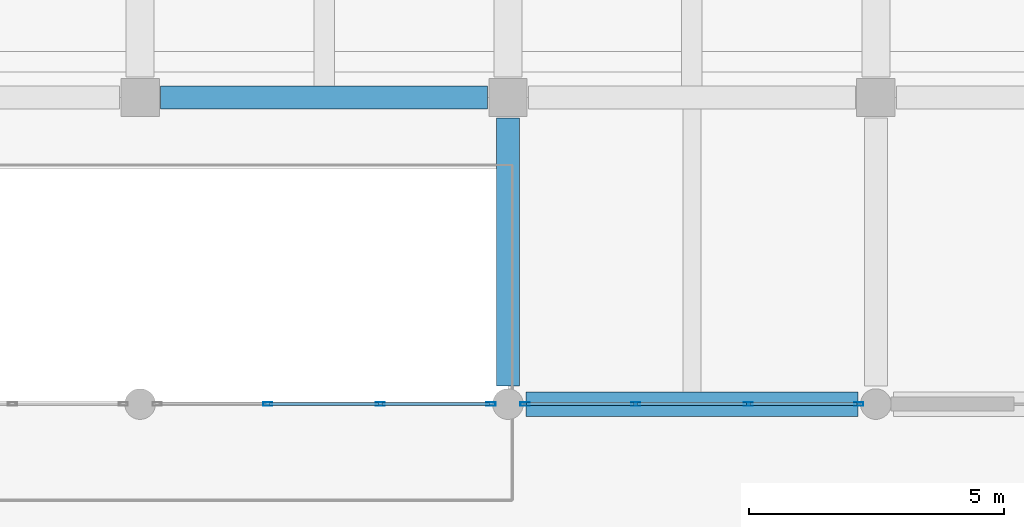
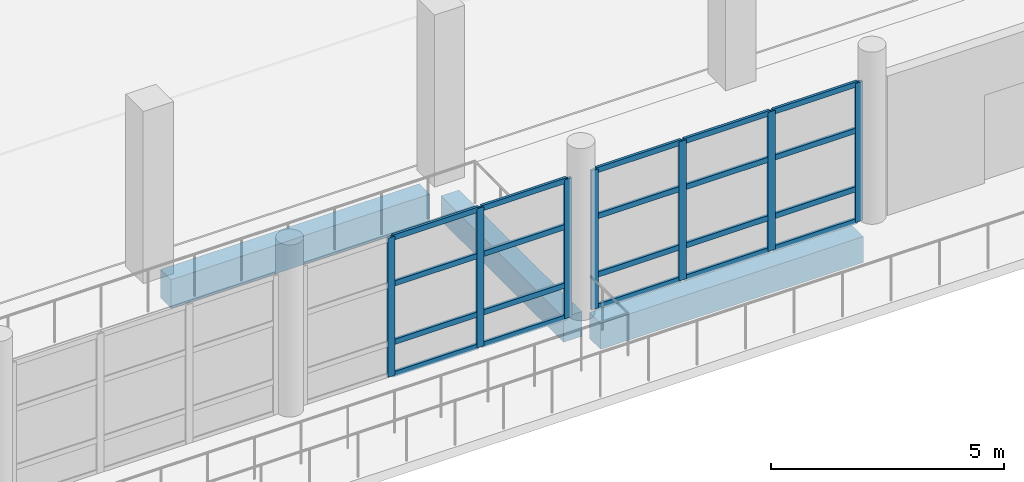
# One storey, part 11 of 71: 27 members, 3 beams, 2 elements without a shape of their own.
"""IFC4 building model written with IfcOpenShell, lengths in metres."""

from ifc_helpers import new_model, si_unit, direction, frame, origin, origin_2d, place, context, subcontext, project, spatial, rectangle, hollow_rectangle, extrude, material, material_profile, profile_set, type_object, element, aggregate, save


model = new_model("IFC4")

# Units and contexts
model_context = context("Model", 3, precision=1e-05, world=origin(), true_north=direction((0.0, 1.0)))
body_context = subcontext(model_context, "Body", "Model", "MODEL_VIEW")
ifc_project = project(units=[si_unit("LENGTHUNIT", "METRE"), si_unit("AREAUNIT", "SQUARE_METRE"), si_unit("VOLUMEUNIT", "CUBIC_METRE"), si_unit("PLANEANGLEUNIT", "RADIAN"), si_unit("MASSUNIT", "GRAM", prefix="KILO")], contexts=[model_context])

# Site, building, storey
site_placement = place(None, origin())
site = spatial("IfcSite", under=ifc_project, at=site_placement, CompositionType="ELEMENT")
building_placement = place(site_placement, origin())
building = spatial("IfcBuilding", under=site, at=building_placement, Name="Pellamere Symphony Hall", CompositionType="ELEMENT")
storey_placement = place(building_placement, frame((0.0, 0.0, 15.0)))
storey = spatial("IfcBuildingStorey", under=building, at=storey_placement, Name="L03", CompositionType="ELEMENT", Elevation=15.0)

# Curtain wall, members
ifc_material_1 = material(Name="Thermally Broken Anodised Aluminium 6063-T6 Curtain Wall", Category="aluminium")
curtain_wall_type = type_object("IfcCurtainWallType", Name="Curtain Wall CW-02 (Winter-Garden South Concourse Curtain Wall)", PredefinedType="NOTDEFINED", material=ifc_material_1)
curtain_wall_1_placement = place(storey_placement, origin())
curtain_wall_1 = element("IfcCurtainWall", 1, at=curtain_wall_1_placement, inside=storey, type_object=curtain_wall_type, Name="Winter-Garden South Curtain Wall (L03 Bay 7)", PredefinedType="NOTDEFINED")
ifc_material_2 = material(Name="Anodised Architectural Aluminium 6063-T6", Category="aluminium")
ifc_material_profile_1 = material_profile(ifc_material_2, hollow_rectangle(XDim=0.06494140625, YDim=0.179931640625, WallThickness=0.00390625, at=origin_2d()), Name="ALU-M65X180X4")
ifc_profile_set_1 = profile_set([ifc_material_profile_1], Name="Anodised Architectural Aluminium 6063-T6")
member_type_1 = type_object("IfcMemberType", Name="Curtain Wall Mullion ML-02 ALU-M65X180X4", PredefinedType="MULLION", material=ifc_profile_set_1)
member_1_placement = place(storey_placement, frame((90.10009765625, 24.0, 0.0), z_axis=(0.0, 0.0, 1.0), x_axis=(0.0, 1.0, 0.0)))
member_1 = element("IfcMember", 2, at=member_1_placement, type_object=member_type_1, Name="CW2-091 crystal mullion 2", PredefinedType="MULLION", context=body_context, shape_type="SweptSolid", body=[
    extrude(hollow_rectangle(XDim=0.06494140625, YDim=0.179931640625, WallThickness=0.00390625, at=origin_2d()), origin(), (0.0, 0.0, 1.0), 3.639892578125),
])
member_2_placement = place(storey_placement, frame((92.300048828125, 24.0, 0.0), z_axis=(0.0, 0.0, 1.0), x_axis=(0.0, 1.0, 0.0)))
member_2 = element("IfcMember", 3, at=member_2_placement, type_object=member_type_1, Name="CW2-091 crystal mullion 3", PredefinedType="MULLION", context=body_context, shape_type="SweptSolid", body=[
    extrude(hollow_rectangle(XDim=0.06494140625, YDim=0.179931640625, WallThickness=0.00390625, at=origin_2d()), origin(), (0.0, 0.0, 1.0), 3.639892578125),
])
member_3_placement = place(storey_placement, frame((94.467529296875, 24.0, 0.0), z_axis=(0.0, 0.0, 1.0), x_axis=(0.0, 1.0, 0.0)))
member_3 = element("IfcMember", 4, at=member_3_placement, type_object=member_type_1, Name="CW2-091 crystal mullion 4", PredefinedType="MULLION", context=body_context, shape_type="SweptSolid", body=[
    extrude(hollow_rectangle(XDim=0.06494140625, YDim=0.179931640625, WallThickness=0.00390625, at=origin_2d()), origin(), (0.0, 0.0, 1.0), 3.639892578125),
])

curtain_wall_2_placement = place(storey_placement, origin())
curtain_wall_2 = element("IfcCurtainWall", 5, at=curtain_wall_2_placement, inside=storey, type_object=curtain_wall_type, Name="Winter-Garden South Curtain Wall (L03 Bay 8)", PredefinedType="NOTDEFINED")
member_4_placement = place(storey_placement, frame((95.132568359375, 24.0, 0.0), z_axis=(0.0, 0.0, 1.0), x_axis=(0.0, 1.0, 0.0)))
member_4 = element("IfcMember", 6, at=member_4_placement, type_object=member_type_1, Name="CW2-092 crystal mullion 1", PredefinedType="MULLION", context=body_context, shape_type="SweptSolid", body=[
    extrude(hollow_rectangle(XDim=0.06494140625, YDim=0.179931640625, WallThickness=0.00390625, at=origin_2d()), origin(), (0.0, 0.0, 1.0), 3.639892578125),
])
member_5_placement = place(storey_placement, frame((97.300048828125, 24.0, 0.0), z_axis=(0.0, 0.0, 1.0), x_axis=(0.0, 1.0, 0.0)))
member_5 = element("IfcMember", 7, at=member_5_placement, type_object=member_type_1, Name="CW2-092 crystal mullion 2", PredefinedType="MULLION", context=body_context, shape_type="SweptSolid", body=[
    extrude(hollow_rectangle(XDim=0.06494140625, YDim=0.179931640625, WallThickness=0.00390625, at=origin_2d()), origin(), (0.0, 0.0, 1.0), 3.639892578125),
])
member_6_placement = place(storey_placement, frame((99.5, 24.0, 0.0), z_axis=(0.0, 0.0, 1.0), x_axis=(0.0, 1.0, 0.0)))
member_6 = element("IfcMember", 8, at=member_6_placement, type_object=member_type_1, Name="CW2-092 crystal mullion 3", PredefinedType="MULLION", context=body_context, shape_type="SweptSolid", body=[
    extrude(hollow_rectangle(XDim=0.06494140625, YDim=0.179931640625, WallThickness=0.00390625, at=origin_2d()), origin(), (0.0, 0.0, 1.0), 3.639892578125),
])
member_7_placement = place(storey_placement, frame((101.66748046875, 24.0, 0.0), z_axis=(0.0, 0.0, 1.0), x_axis=(0.0, 1.0, 0.0)))
member_7 = element("IfcMember", 9, at=member_7_placement, type_object=member_type_1, Name="CW2-092 crystal mullion 4", PredefinedType="MULLION", context=body_context, shape_type="SweptSolid", body=[
    extrude(hollow_rectangle(XDim=0.06494140625, YDim=0.179931640625, WallThickness=0.00390625, at=origin_2d()), origin(), (0.0, 0.0, 1.0), 3.639892578125),
])

# Member
ifc_material_profile_2 = material_profile(ifc_material_2, hollow_rectangle(XDim=0.06494140625, YDim=0.139892578125, WallThickness=0.00390625, at=origin_2d()), Name="ALU-T65X140X4")
ifc_profile_set_2 = profile_set([ifc_material_profile_2], Name="Anodised Architectural Aluminium 6063-T6")
member_type_2 = type_object("IfcMemberType", Name="Curtain Wall Transom TR-02 ALU-T65X140X4", PredefinedType="USERDEFINED", material=ifc_profile_set_2)
member_8_placement = place(storey_placement, frame((90.132568359375, 24.0, 0.032470703125), z_axis=(1.0, 0.0, 0.0), x_axis=(0.0, 1.0, 0.0)))
member_8 = element("IfcMember", 10, at=member_8_placement, type_object=member_type_2, Name="CW2-091 crystal transom 2.1", ObjectType="TRANSOM", PredefinedType="USERDEFINED", context=body_context, shape_type="SweptSolid", body=[
    extrude(hollow_rectangle(XDim=0.06494140625, YDim=0.139892578125, WallThickness=0.00390625, at=origin_2d()), origin(), (0.0, 0.0, 1.0), 2.135009765625),
])

member_9_placement = place(storey_placement, frame((90.132568359375, 24.0, 0.87353515625), z_axis=(1.0, 0.0, 0.0), x_axis=(0.0, 1.0, 0.0)))
member_9 = element("IfcMember", 11, at=member_9_placement, type_object=member_type_2, Name="CW2-091 crystal transom 2.2", ObjectType="TRANSOM", PredefinedType="USERDEFINED", context=body_context, shape_type="SweptSolid", body=[
    extrude(hollow_rectangle(XDim=0.06494140625, YDim=0.139892578125, WallThickness=0.00390625, at=origin_2d()), origin(), (0.0, 0.0, 1.0), 2.135009765625),
])

member_10_placement = place(storey_placement, frame((90.132568359375, 24.0, 2.40234375), z_axis=(1.0, 0.0, 0.0), x_axis=(0.0, 1.0, 0.0)))
member_10 = element("IfcMember", 12, at=member_10_placement, type_object=member_type_2, Name="CW2-091 crystal transom 2.3", ObjectType="TRANSOM", PredefinedType="USERDEFINED", context=body_context, shape_type="SweptSolid", body=[
    extrude(hollow_rectangle(XDim=0.06494140625, YDim=0.139892578125, WallThickness=0.00390625, at=origin_2d()), origin(), (0.0, 0.0, 1.0), 2.135009765625),
])

member_11_placement = place(storey_placement, frame((90.132568359375, 24.0, 3.607421875), z_axis=(1.0, 0.0, 0.0), x_axis=(0.0, 1.0, 0.0)))
member_11 = element("IfcMember", 13, at=member_11_placement, type_object=member_type_2, Name="CW2-091 crystal transom 2.4", ObjectType="TRANSOM", PredefinedType="USERDEFINED", context=body_context, shape_type="SweptSolid", body=[
    extrude(hollow_rectangle(XDim=0.06494140625, YDim=0.139892578125, WallThickness=0.00390625, at=origin_2d()), origin(), (0.0, 0.0, 1.0), 2.135009765625),
])

member_12_placement = place(storey_placement, frame((92.33251953125, 24.0, 0.032470703125), z_axis=(1.0, 0.0, 0.0), x_axis=(0.0, 1.0, 0.0)))
member_12 = element("IfcMember", 14, at=member_12_placement, type_object=member_type_2, Name="CW2-091 crystal transom 3.1", ObjectType="TRANSOM", PredefinedType="USERDEFINED", context=body_context, shape_type="SweptSolid", body=[
    extrude(hollow_rectangle(XDim=0.06494140625, YDim=0.139892578125, WallThickness=0.00390625, at=origin_2d()), origin(), (0.0, 0.0, 1.0), 2.1025390625),
])

member_13_placement = place(storey_placement, frame((92.33251953125, 24.0, 0.87353515625), z_axis=(1.0, 0.0, 0.0), x_axis=(0.0, 1.0, 0.0)))
member_13 = element("IfcMember", 15, at=member_13_placement, type_object=member_type_2, Name="CW2-091 crystal transom 3.2", ObjectType="TRANSOM", PredefinedType="USERDEFINED", context=body_context, shape_type="SweptSolid", body=[
    extrude(hollow_rectangle(XDim=0.06494140625, YDim=0.139892578125, WallThickness=0.00390625, at=origin_2d()), origin(), (0.0, 0.0, 1.0), 2.1025390625),
])

member_14_placement = place(storey_placement, frame((92.33251953125, 24.0, 2.40234375), z_axis=(1.0, 0.0, 0.0), x_axis=(0.0, 1.0, 0.0)))
member_14 = element("IfcMember", 16, at=member_14_placement, type_object=member_type_2, Name="CW2-091 crystal transom 3.3", ObjectType="TRANSOM", PredefinedType="USERDEFINED", context=body_context, shape_type="SweptSolid", body=[
    extrude(hollow_rectangle(XDim=0.06494140625, YDim=0.139892578125, WallThickness=0.00390625, at=origin_2d()), origin(), (0.0, 0.0, 1.0), 2.1025390625),
])

member_15_placement = place(storey_placement, frame((92.33251953125, 24.0, 3.607421875), z_axis=(1.0, 0.0, 0.0), x_axis=(0.0, 1.0, 0.0)))
member_15 = element("IfcMember", 17, at=member_15_placement, type_object=member_type_2, Name="CW2-091 crystal transom 3.4", ObjectType="TRANSOM", PredefinedType="USERDEFINED", context=body_context, shape_type="SweptSolid", body=[
    extrude(hollow_rectangle(XDim=0.06494140625, YDim=0.139892578125, WallThickness=0.00390625, at=origin_2d()), origin(), (0.0, 0.0, 1.0), 2.1025390625),
])

aggregate(curtain_wall_1, [member_1, member_2, member_3, member_8, member_9, member_10, member_11, member_12, member_13, member_14, member_15])

member_16_placement = place(storey_placement, frame((95.1650390625, 24.0, 0.032470703125), z_axis=(1.0, 0.0, 0.0), x_axis=(0.0, 1.0, 0.0)))
member_16 = element("IfcMember", 18, at=member_16_placement, type_object=member_type_2, Name="CW2-092 crystal transom 1.1", ObjectType="TRANSOM", PredefinedType="USERDEFINED", context=body_context, shape_type="SweptSolid", body=[
    extrude(hollow_rectangle(XDim=0.06494140625, YDim=0.139892578125, WallThickness=0.00390625, at=origin_2d()), origin(), (0.0, 0.0, 1.0), 2.1025390625),
])

member_17_placement = place(storey_placement, frame((95.1650390625, 24.0, 0.87353515625), z_axis=(1.0, 0.0, 0.0), x_axis=(0.0, 1.0, 0.0)))
member_17 = element("IfcMember", 19, at=member_17_placement, type_object=member_type_2, Name="CW2-092 crystal transom 1.2", ObjectType="TRANSOM", PredefinedType="USERDEFINED", context=body_context, shape_type="SweptSolid", body=[
    extrude(hollow_rectangle(XDim=0.06494140625, YDim=0.139892578125, WallThickness=0.00390625, at=origin_2d()), origin(), (0.0, 0.0, 1.0), 2.1025390625),
])

member_18_placement = place(storey_placement, frame((95.1650390625, 24.0, 2.40234375), z_axis=(1.0, 0.0, 0.0), x_axis=(0.0, 1.0, 0.0)))
member_18 = element("IfcMember", 20, at=member_18_placement, type_object=member_type_2, Name="CW2-092 crystal transom 1.3", ObjectType="TRANSOM", PredefinedType="USERDEFINED", context=body_context, shape_type="SweptSolid", body=[
    extrude(hollow_rectangle(XDim=0.06494140625, YDim=0.139892578125, WallThickness=0.00390625, at=origin_2d()), origin(), (0.0, 0.0, 1.0), 2.1025390625),
])

member_19_placement = place(storey_placement, frame((95.1650390625, 24.0, 3.607421875), z_axis=(1.0, 0.0, 0.0), x_axis=(0.0, 1.0, 0.0)))
member_19 = element("IfcMember", 21, at=member_19_placement, type_object=member_type_2, Name="CW2-092 crystal transom 1.4", ObjectType="TRANSOM", PredefinedType="USERDEFINED", context=body_context, shape_type="SweptSolid", body=[
    extrude(hollow_rectangle(XDim=0.06494140625, YDim=0.139892578125, WallThickness=0.00390625, at=origin_2d()), origin(), (0.0, 0.0, 1.0), 2.1025390625),
])

member_20_placement = place(storey_placement, frame((97.33251953125, 24.0, 0.032470703125), z_axis=(1.0, 0.0, 0.0), x_axis=(0.0, 1.0, 0.0)))
member_20 = element("IfcMember", 22, at=member_20_placement, type_object=member_type_2, Name="CW2-092 crystal transom 2.1", ObjectType="TRANSOM", PredefinedType="USERDEFINED", context=body_context, shape_type="SweptSolid", body=[
    extrude(hollow_rectangle(XDim=0.06494140625, YDim=0.139892578125, WallThickness=0.00390625, at=origin_2d()), origin(), (0.0, 0.0, 1.0), 2.135009765625),
])

member_21_placement = place(storey_placement, frame((97.33251953125, 24.0, 0.87353515625), z_axis=(1.0, 0.0, 0.0), x_axis=(0.0, 1.0, 0.0)))
member_21 = element("IfcMember", 23, at=member_21_placement, type_object=member_type_2, Name="CW2-092 crystal transom 2.2", ObjectType="TRANSOM", PredefinedType="USERDEFINED", context=body_context, shape_type="SweptSolid", body=[
    extrude(hollow_rectangle(XDim=0.06494140625, YDim=0.139892578125, WallThickness=0.00390625, at=origin_2d()), origin(), (0.0, 0.0, 1.0), 2.135009765625),
])

member_22_placement = place(storey_placement, frame((97.33251953125, 24.0, 2.40234375), z_axis=(1.0, 0.0, 0.0), x_axis=(0.0, 1.0, 0.0)))
member_22 = element("IfcMember", 24, at=member_22_placement, type_object=member_type_2, Name="CW2-092 crystal transom 2.3", ObjectType="TRANSOM", PredefinedType="USERDEFINED", context=body_context, shape_type="SweptSolid", body=[
    extrude(hollow_rectangle(XDim=0.06494140625, YDim=0.139892578125, WallThickness=0.00390625, at=origin_2d()), origin(), (0.0, 0.0, 1.0), 2.135009765625),
])

member_23_placement = place(storey_placement, frame((97.33251953125, 24.0, 3.607421875), z_axis=(1.0, 0.0, 0.0), x_axis=(0.0, 1.0, 0.0)))
member_23 = element("IfcMember", 25, at=member_23_placement, type_object=member_type_2, Name="CW2-092 crystal transom 2.4", ObjectType="TRANSOM", PredefinedType="USERDEFINED", context=body_context, shape_type="SweptSolid", body=[
    extrude(hollow_rectangle(XDim=0.06494140625, YDim=0.139892578125, WallThickness=0.00390625, at=origin_2d()), origin(), (0.0, 0.0, 1.0), 2.135009765625),
])

member_24_placement = place(storey_placement, frame((99.532470703125, 24.0, 0.032470703125), z_axis=(1.0, 0.0, 0.0), x_axis=(0.0, 1.0, 0.0)))
member_24 = element("IfcMember", 26, at=member_24_placement, type_object=member_type_2, Name="CW2-092 crystal transom 3.1", ObjectType="TRANSOM", PredefinedType="USERDEFINED", context=body_context, shape_type="SweptSolid", body=[
    extrude(hollow_rectangle(XDim=0.06494140625, YDim=0.139892578125, WallThickness=0.00390625, at=origin_2d()), origin(), (0.0, 0.0, 1.0), 2.1025390625),
])

member_25_placement = place(storey_placement, frame((99.532470703125, 24.0, 0.87353515625), z_axis=(1.0, 0.0, 0.0), x_axis=(0.0, 1.0, 0.0)))
member_25 = element("IfcMember", 27, at=member_25_placement, type_object=member_type_2, Name="CW2-092 crystal transom 3.2", ObjectType="TRANSOM", PredefinedType="USERDEFINED", context=body_context, shape_type="SweptSolid", body=[
    extrude(hollow_rectangle(XDim=0.06494140625, YDim=0.139892578125, WallThickness=0.00390625, at=origin_2d()), origin(), (0.0, 0.0, 1.0), 2.1025390625),
])

member_26_placement = place(storey_placement, frame((99.532470703125, 24.0, 2.40234375), z_axis=(1.0, 0.0, 0.0), x_axis=(0.0, 1.0, 0.0)))
member_26 = element("IfcMember", 28, at=member_26_placement, type_object=member_type_2, Name="CW2-092 crystal transom 3.3", ObjectType="TRANSOM", PredefinedType="USERDEFINED", context=body_context, shape_type="SweptSolid", body=[
    extrude(hollow_rectangle(XDim=0.06494140625, YDim=0.139892578125, WallThickness=0.00390625, at=origin_2d()), origin(), (0.0, 0.0, 1.0), 2.1025390625),
])

member_27_placement = place(storey_placement, frame((99.532470703125, 24.0, 3.607421875), z_axis=(1.0, 0.0, 0.0), x_axis=(0.0, 1.0, 0.0)))
member_27 = element("IfcMember", 29, at=member_27_placement, type_object=member_type_2, Name="CW2-092 crystal transom 3.4", ObjectType="TRANSOM", PredefinedType="USERDEFINED", context=body_context, shape_type="SweptSolid", body=[
    extrude(hollow_rectangle(XDim=0.06494140625, YDim=0.139892578125, WallThickness=0.00390625, at=origin_2d()), origin(), (0.0, 0.0, 1.0), 2.1025390625),
])

aggregate(curtain_wall_2, [member_4, member_5, member_6, member_7, member_16, member_17, member_18, member_19, member_20, member_21, member_22, member_23, member_24, member_25, member_26, member_27])

# Beams
ifc_material_3 = material(Name="Concrete 40 MPa", Category="concrete")
ifc_material_profile_3 = material_profile(ifc_material_3, rectangle(XDim=0.449951171875, YDim=0.64990234375, at=origin_2d()), Name="RC 450x650")
ifc_profile_set_3 = profile_set([ifc_material_profile_3], Name="Concrete 40 MPa")
beam_type_1 = type_object("IfcBeamType", Name="RC CB-08 450x650", PredefinedType="BEAM", material=ifc_profile_set_3)
beam_1_placement = place(storey_placement, frame((94.800048828125, 24.35009765625, -0.5849609375), z_axis=(0.0, 1.0, 0.0), x_axis=(-1.0, 0.0, 0.0)))
element("IfcBeam", 30, at=beam_1_placement, inside=storey, type_object=beam_type_1, Name="Girder CB-08-Y1639 (L03)", PredefinedType="BEAM", context=body_context, shape_type="SweptSolid", body=[
    extrude(rectangle(XDim=0.449951171875, YDim=0.64990234375, at=origin_2d()), origin(), (0.0, 0.0, 1.0), 5.25),
])
ifc_material_profile_4 = material_profile(ifc_material_3, rectangle(XDim=0.449951171875, YDim=0.75, at=origin_2d()), Name="RC 450x750")
ifc_profile_set_4 = profile_set([ifc_material_profile_4], Name="Concrete 40 MPa")
beam_type_2 = type_object("IfcBeamType", Name="RC CB-12 450x750", PredefinedType="SPANDREL", material=ifc_profile_set_4)
beam_2_placement = place(storey_placement, frame((88.0, 30.0, -0.635009765625), z_axis=(1.0, 0.0, 0.0), x_axis=(0.0, 1.0, 0.0)))
element("IfcBeam", 31, at=beam_2_placement, inside=storey, type_object=beam_type_2, Name="Girder CB-12-X1511 (L03)", PredefinedType="SPANDREL", context=body_context, shape_type="SweptSolid", body=[
    extrude(rectangle(XDim=0.449951171875, YDim=0.75, at=origin_2d()), origin(), (0.0, 0.0, 1.0), 6.39990234375),
])
ifc_material_profile_5 = material_profile(ifc_material_3, rectangle(XDim=0.47998046875, YDim=0.679931640625, at=origin_2d()), Name="RC 480x680")
ifc_profile_set_5 = profile_set([ifc_material_profile_5], Name="Concrete 40 MPa")
beam_type_3 = type_object("IfcBeamType", Name="RC CB-19 480x680", PredefinedType="BEAM", material=ifc_profile_set_5)
beam_3_placement = place(storey_placement, frame((95.14990234375, 24.0, -0.60009765625), z_axis=(1.0, 0.0, 0.0), x_axis=(0.0, 1.0, 0.0)))
element("IfcBeam", 32, at=beam_3_placement, inside=storey, type_object=beam_type_3, Name="Girder CB-19-X1497 (L03)", PredefinedType="BEAM", context=body_context, shape_type="SweptSolid", body=[
    extrude(rectangle(XDim=0.47998046875, YDim=0.679931640625, at=origin_2d()), origin(), (0.0, 0.0, 1.0), 6.5),
])

save(model, "model.ifc")
